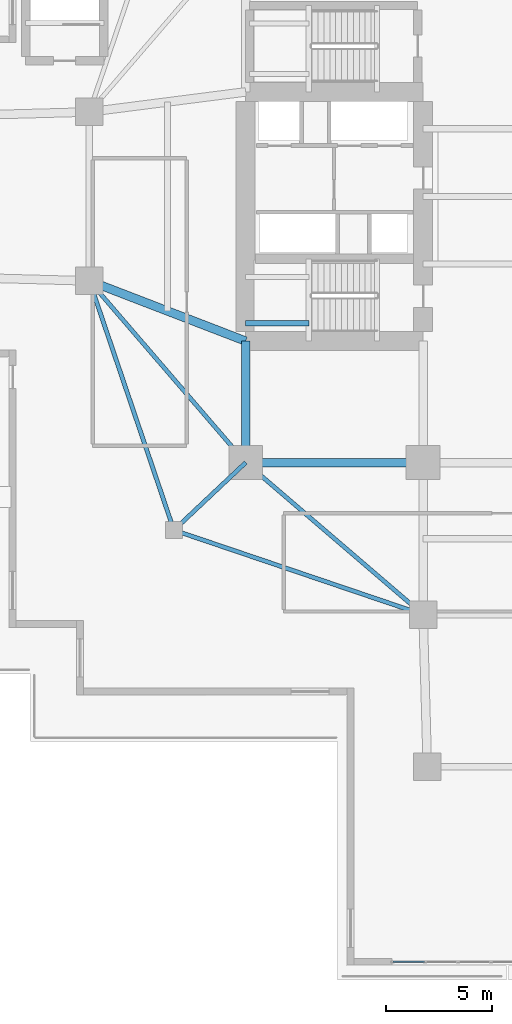
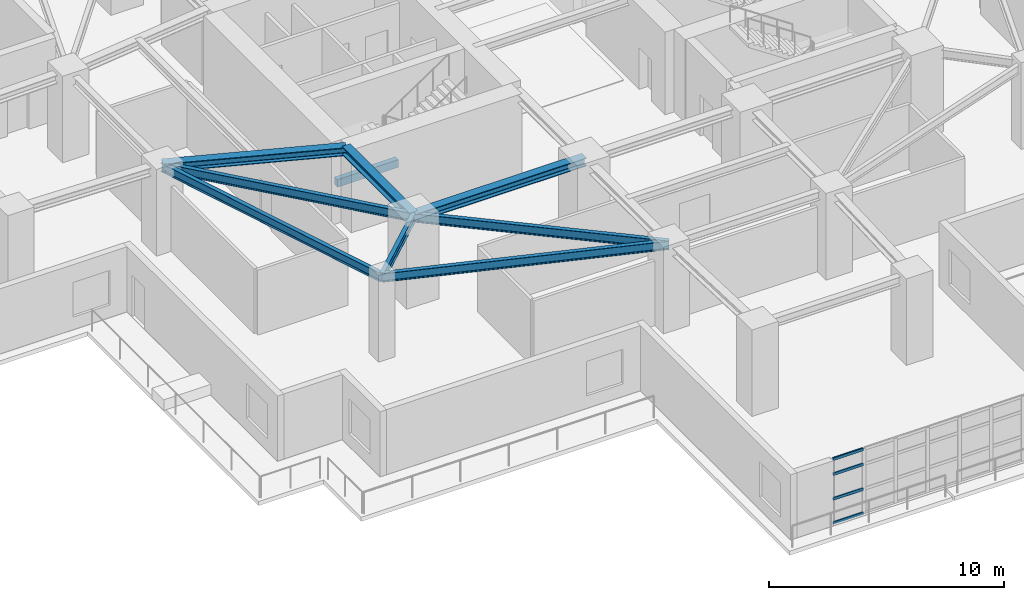
# One storey, part 4 of 24: 9 beams, 4 members, 1 element without a shape of its own.
"""IFC4 building model written with IfcOpenShell, lengths in metres."""

from ifc_helpers import new_model, si_unit, direction, frame, origin, origin_2d, place, context, subcontext, project, spatial, rectangle, hollow_rectangle, i_section, extrude, material, layer, layer_set, material_profile, profile_set, type_object, element, aggregate, save


model = new_model("IFC4")

# Units and contexts
model_context = context("Model", 3, precision=1e-05, world=origin(), true_north=direction((0.0, 1.0)))
body_context = subcontext(model_context, "Body", "Model", "MODEL_VIEW")
ifc_project = project(units=[si_unit("LENGTHUNIT", "METRE"), si_unit("AREAUNIT", "SQUARE_METRE"), si_unit("VOLUMEUNIT", "CUBIC_METRE"), si_unit("PLANEANGLEUNIT", "RADIAN"), si_unit("MASSUNIT", "GRAM", prefix="KILO")], contexts=[model_context])

# Site, building, storey
site_placement = place(None, origin())
site = spatial("IfcSite", under=ifc_project, at=site_placement, CompositionType="ELEMENT")
building_placement = place(site_placement, origin())
building = spatial("IfcBuilding", under=site, at=building_placement, Name="Qingluan Cross Belvedere", CompositionType="ELEMENT")
storey_placement = place(building_placement, frame((0.0, 0.0, 19.199951171875)))
storey = spatial("IfcBuildingStorey", under=building, at=storey_placement, Name="L05", CompositionType="ELEMENT", Elevation=19.199951171875)

# Curtain wall, members
ifc_material_1 = material(Name="Thermally broken aluminium and Low-E glass", Category="aluminium")
ifc_layer = layer(ifc_material_1, 0.179931640625, Name="UnitisedCW_CascadeGarden")
ifc_layer_set = layer_set([ifc_layer], Name="Thermally broken aluminium and Low-E glass")
curtain_wall_type = type_object("IfcCurtainWallType", Name="UnitisedCW_CascadeGarden", PredefinedType="USERDEFINED", material=ifc_layer_set)
curtain_wall_placement = place(storey_placement, origin())
curtain_wall = element("IfcCurtainWall", 1, at=curtain_wall_placement, inside=storey, type_object=curtain_wall_type, Name="UnitisedCW_CascadeGarden run env:cw:L05:S", ObjectType="UNITISED CURTAIN WALL", PredefinedType="USERDEFINED")
ifc_material_2 = material(Name="Aluminium alloy 6063-T6", Category="aluminium")
ifc_material_profile_1 = material_profile(ifc_material_2, hollow_rectangle(XDim=0.074951171875, YDim=0.14990234375, WallThickness=0.00390625, InnerFilletRadius=0.00390625, OuterFilletRadius=0.008056640625, at=origin_2d()), Name="CWT150x75x4")
ifc_profile_set_1 = profile_set([ifc_material_profile_1], Name="Aluminium alloy 6063-T6")
member_type = type_object("IfcMemberType", Name="CWTransom_150", PredefinedType="USERDEFINED", material=ifc_profile_set_1)
member_1_placement = place(storey_placement, frame((-3.9443359375, -36.239990234375, 0.030029296875), z_axis=(-1.0, 0.0, 0.0), x_axis=(0.0, -1.0, 0.0)))
member_1 = element("IfcMember", 2, at=member_1_placement, type_object=member_type, Name="CW-P3 transom 7.1", ObjectType="TRANSOM", PredefinedType="USERDEFINED", context=body_context, shape_type="SweptSolid", body=[
    extrude(hollow_rectangle(XDim=0.074951171875, YDim=0.14990234375, WallThickness=0.00390625, InnerFilletRadius=0.00390625, OuterFilletRadius=0.008056640625, at=origin_2d()), origin(), (0.0, 0.0, 1.0), 1.4755859375),
])
member_2_placement = place(storey_placement, frame((-3.9443359375, -36.239990234375, 1.283935546875), z_axis=(-1.0, 0.0, 0.0), x_axis=(0.0, -1.0, 0.0)))
member_2 = element("IfcMember", 3, at=member_2_placement, type_object=member_type, Name="CW-P3 transom 7.2", ObjectType="TRANSOM", PredefinedType="USERDEFINED", context=body_context, shape_type="SweptSolid", body=[
    extrude(hollow_rectangle(XDim=0.074951171875, YDim=0.14990234375, WallThickness=0.00390625, InnerFilletRadius=0.00390625, OuterFilletRadius=0.008056640625, at=origin_2d()), origin(), (0.0, 0.0, 1.0), 1.4755859375),
])
member_3_placement = place(storey_placement, frame((-3.9443359375, -36.239990234375, 2.569091796875), z_axis=(-1.0, 0.0, 0.0), x_axis=(0.0, -1.0, 0.0)))
member_3 = element("IfcMember", 4, at=member_3_placement, type_object=member_type, Name="CW-P3 transom 7.3", ObjectType="TRANSOM", PredefinedType="USERDEFINED", context=body_context, shape_type="SweptSolid", body=[
    extrude(hollow_rectangle(XDim=0.074951171875, YDim=0.14990234375, WallThickness=0.00390625, InnerFilletRadius=0.00390625, OuterFilletRadius=0.008056640625, at=origin_2d()), origin(), (0.0, 0.0, 1.0), 1.4755859375),
])
member_4_placement = place(storey_placement, frame((-3.9443359375, -36.239990234375, 3.35009765625), z_axis=(-1.0, 0.0, 0.0), x_axis=(0.0, -1.0, 0.0)))
member_4 = element("IfcMember", 5, at=member_4_placement, type_object=member_type, Name="CW-P3 transom 7.4", ObjectType="TRANSOM", PredefinedType="USERDEFINED", context=body_context, shape_type="SweptSolid", body=[
    extrude(hollow_rectangle(XDim=0.074951171875, YDim=0.14990234375, WallThickness=0.00390625, InnerFilletRadius=0.00390625, OuterFilletRadius=0.008056640625, at=origin_2d()), origin(), (0.0, 0.0, 1.0), 1.4755859375),
])
aggregate(curtain_wall, [member_1, member_2, member_3, member_4])

# Beams
ifc_material_3 = material(Name="Concrete C45", Category="concrete")
ifc_material_profile_2 = material_profile(ifc_material_3, rectangle(XDim=0.25, YDim=0.39990234375, at=origin_2d()), Name="RC250x400")
ifc_profile_set_2 = profile_set([ifc_material_profile_2], Name="Concrete C45")
beam_type_1 = type_object("IfcBeamType", Name="RC_Lintel_RC250x400", PredefinedType="LINTEL", material=ifc_profile_set_2)
beam_1_placement = place(storey_placement, frame((-12.39990234375, -6.0, 1.85009765625), z_axis=(1.0, 0.0, 0.0), x_axis=(0.0, 1.0, 0.0)))
element("IfcBeam", 6, at=beam_1_placement, inside=storey, type_object=beam_type_1, Name="Stair ST1 beam B L05", PredefinedType="LINTEL", context=body_context, shape_type="SweptSolid", body=[
    extrude(rectangle(XDim=0.25, YDim=0.39990234375, at=origin_2d()), origin(), (0.0, 0.0, 1.0), 2.989990234375),
])
ifc_material_4 = material(Name="Steel Q420GJB", Category="steel")
ifc_material_profile_3 = material_profile(ifc_material_4, i_section(OverallWidth=0.199951171875, OverallDepth=0.449951171875, WebThickness=0.009033203125, FlangeThickness=0.013916015625, FilletRadius=0.01611328125, at=origin_2d()), Name="HN450x200x9x14")
ifc_profile_set_3 = profile_set([ifc_material_profile_3], Name="Steel Q420GJB")
beam_type_2 = type_object("IfcBeamType", Name="Steel_Beam_HN450x200x9x14", PredefinedType="JOIST", material=ifc_profile_set_3)
beam_2_placement = place(storey_placement, frame((-12.39990234375, -12.60009765625, 4.054931640625), z_axis=(-0.728219948308, -0.685343495546, 0.0), x_axis=(0.685343495546, -0.728219948308, 0.0)))
element("IfcBeam", 7, at=beam_2_placement, inside=storey, type_object=beam_type_2, Name="Corner beam 1 L05-RSW", PredefinedType="JOIST", context=body_context, shape_type="SweptSolid", body=[
    extrude(i_section(OverallWidth=0.199951171875, OverallDepth=0.449951171875, WebThickness=0.009033203125, FlangeThickness=0.013916015625, FilletRadius=0.01611328125, at=origin_2d()), origin(), (0.0, 0.0, 1.0), 4.669189453125),
])
for number, where, z_axis, x_axis, name in (
    (8, (-15.800048828125, -15.800048828125, 4.054931640625), (0.947066283324, -0.321038089628, 0.0), (0.321038089628, 0.947066283324, 0.0), "Corner beam 2 L05-RSW"),
    (9, (-15.800048828125, -15.800048828125, 4.054931640625), (-0.321038089628, 0.947066283324, 0.0), (-0.947066283324, -0.321038089628, 0.0), "Corner beam 3 L05-RSW"),
):
    element("IfcBeam", number, at=place(storey_placement, frame(where, z_axis=z_axis, x_axis=x_axis)), inside=storey, type_object=beam_type_2, Name=name, PredefinedType="JOIST", context=body_context, shape_type="SweptSolid", body=[
        extrude(i_section(OverallWidth=0.199951171875, OverallDepth=0.449951171875, WebThickness=0.009033203125, FlangeThickness=0.013916015625, FilletRadius=0.01611328125, at=origin_2d()), origin(), (0.0, 0.0, 1.0), 12.45947265625),
    ])
beam_3_placement = place(storey_placement, frame((-12.39990234375, -12.60009765625, 4.054931640625), z_axis=(-0.652245077546, 0.75800815221, 0.0), x_axis=(-0.75800815221, -0.652245077546, 0.0)))
element("IfcBeam", 10, at=beam_3_placement, inside=storey, type_object=beam_type_2, Name="Corner beam 4 L05-RSW", PredefinedType="JOIST", context=body_context, shape_type="SweptSolid", body=[
    extrude(i_section(OverallWidth=0.199951171875, OverallDepth=0.449951171875, WebThickness=0.009033203125, FlangeThickness=0.013916015625, FilletRadius=0.01611328125, at=origin_2d()), origin(), (0.0, 0.0, 1.0), 11.345703125),
])
beam_4_placement = place(storey_placement, frame((-12.39990234375, -12.60009765625, 4.054931640625), z_axis=(0.759255044656, -0.650793190779, 0.0), x_axis=(0.650793190779, 0.759255044656, 0.0)))
element("IfcBeam", 11, at=beam_4_placement, inside=storey, type_object=beam_type_2, Name="Corner beam 5 L05-RSW", PredefinedType="JOIST", context=body_context, shape_type="SweptSolid", body=[
    extrude(i_section(OverallWidth=0.199951171875, OverallDepth=0.449951171875, WebThickness=0.009033203125, FlangeThickness=0.013916015625, FilletRadius=0.01611328125, at=origin_2d()), origin(), (0.0, 0.0, 1.0), 11.063232421875),
])
ifc_material_5 = material(Name="Steel Q420GJB", Category="steel")
ifc_material_profile_4 = material_profile(ifc_material_5, i_section(OverallWidth=0.406982421875, OverallDepth=0.427978515625, WebThickness=0.02001953125, FlangeThickness=0.034912109375, FilletRadius=0.02197265625, at=origin_2d()), Name="HW428x407x20x35")
ifc_profile_set_4 = profile_set([ifc_material_profile_4], Name="Steel Q420GJB")
beam_type_3 = type_object("IfcBeamType", Name="Steel_Girder_HW428x407x20x35", PredefinedType="USERDEFINED", material=ifc_profile_set_4)
beam_5_placement = place(storey_placement, frame((-12.39990234375, -12.60009765625, 4.0859375), z_axis=(1.0, 0.0, 0.0), x_axis=(0.0, 1.0, 0.0)))
element("IfcBeam", 12, at=beam_5_placement, inside=storey, type_object=beam_type_3, Name="Hub girder L05-HG-S1", ObjectType="GIRDER", PredefinedType="USERDEFINED", context=body_context, shape_type="SweptSolid", body=[
    extrude(i_section(OverallWidth=0.406982421875, OverallDepth=0.427978515625, WebThickness=0.02001953125, FlangeThickness=0.034912109375, FilletRadius=0.02197265625, at=origin_2d()), origin(), (0.0, 0.0, 1.0), 8.39990234375),
])
beam_6_placement = place(storey_placement, frame((-12.39990234375, -12.60009765625, 4.0859375), z_axis=(0.0, 1.0, 0.0), x_axis=(-1.0, 0.0, 0.0)))
element("IfcBeam", 13, at=beam_6_placement, inside=storey, type_object=beam_type_3, Name="Hub girder L05-HG-W1", ObjectType="GIRDER", PredefinedType="USERDEFINED", context=body_context, shape_type="SweptSolid", body=[
    extrude(i_section(OverallWidth=0.406982421875, OverallDepth=0.427978515625, WebThickness=0.02001953125, FlangeThickness=0.034912109375, FilletRadius=0.02197265625, at=origin_2d()), origin(), (0.0, 0.0, 1.0), 5.75),
])
beam_7_placement = place(storey_placement, frame((-12.39990234375, -6.85009765625, 4.0859375), z_axis=(-0.933181258889, 0.359406090735, 0.0), x_axis=(-0.359406090735, -0.933181258889, 0.0)))
element("IfcBeam", 14, at=beam_7_placement, inside=storey, type_object=beam_type_3, Name="Arm W radial girder A L05", ObjectType="GIRDER", PredefinedType="USERDEFINED", context=body_context, shape_type="SweptSolid", body=[
    extrude(i_section(OverallWidth=0.406982421875, OverallDepth=0.427978515625, WebThickness=0.02001953125, FlangeThickness=0.034912109375, FilletRadius=0.02197265625, at=origin_2d()), origin(), (0.0, 0.0, 1.0), 7.929931640625),
])

save(model, "model.ifc")
